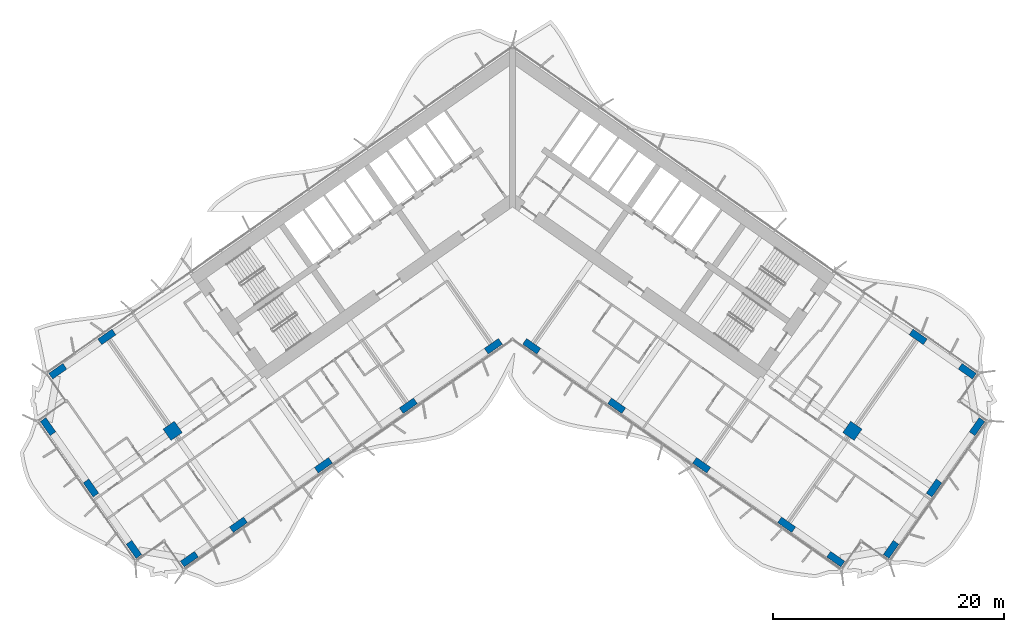
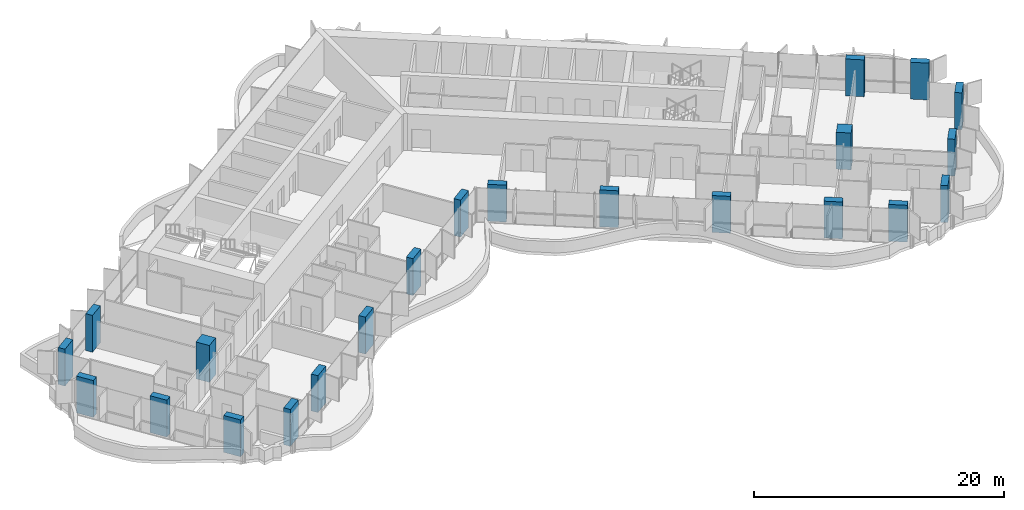
# One storey, part 1 of 23: 22 columns.
"""IFC4 building model written with IfcOpenShell, lengths in metres."""

from ifc_helpers import new_model, si_unit, direction, frame, origin, origin_2d, place, context, subcontext, project, spatial, rectangle, extrude, material, material_profile, profile_set, type_object, element, save


model = new_model("IFC4")

# Units and contexts
model_context = context("Model", 3, precision=1e-05, world=origin(), true_north=direction((0.0, 1.0)))
body_context = subcontext(model_context, "Body", "Model", "MODEL_VIEW")
ifc_project = project(units=[si_unit("LENGTHUNIT", "METRE"), si_unit("AREAUNIT", "SQUARE_METRE"), si_unit("VOLUMEUNIT", "CUBIC_METRE"), si_unit("PLANEANGLEUNIT", "RADIAN"), si_unit("MASSUNIT", "GRAM", prefix="KILO")], contexts=[model_context])

# Site, building, storey
site_placement = place(None, origin())
site = spatial("IfcSite", under=ifc_project, at=site_placement, CompositionType="ELEMENT")
building_placement = place(site_placement, origin())
building = spatial("IfcBuilding", under=site, at=building_placement, Name="Tel Ilan Convention Tower", CompositionType="ELEMENT")
storey_placement = place(building_placement, frame((0.0, 0.0, 108.5)))
storey = spatial("IfcBuildingStorey", under=building, at=storey_placement, Name="L23", CompositionType="ELEMENT", Elevation=108.5)

# Columns
ifc_material_1 = material(Name="Concrete C60/75", Category="concrete")
ifc_material_profile_1 = material_profile(ifc_material_1, rectangle(XDim=1.199951171875, YDim=1.199951171875, at=origin_2d()), Name="RC 1200x1200")
ifc_profile_set_1 = profile_set([ifc_material_profile_1], Name="Concrete C60/75")
column_type_1 = type_object("IfcColumnType", Name="Column RC 1200x1200 C60/75", PredefinedType="COLUMN", material=ifc_profile_set_1)
for number, where, z_axis, x_axis, name in (
    (1, (-29.489501953125, -20.648681640625, 0.0), (0.0, 0.0, 1.0), (-0.819152044289, -0.573576436351, 0.0), "L23 column W-M4"),
    (2, (29.489501953125, -20.648681640625, 0.0), (0.0, 0.0, 1.0), (0.819152044289, -0.573576436351, 0.0), "L23 column E-M4"),
):
    element("IfcColumn", number, at=place(storey_placement, frame(where, z_axis=z_axis, x_axis=x_axis)), inside=storey, type_object=column_type_1, Name=name, PredefinedType="COLUMN", context=body_context, shape_type="SweptSolid", body=[
        extrude(rectangle(XDim=1.199951171875, YDim=1.199951171875, at=origin_2d()), origin(), (0.0, 0.0, 1.0), 3.60009765625),
    ])
ifc_material_2 = material(Name="Concrete C60/75", Category="concrete")
ifc_material_profile_2 = material_profile(ifc_material_2, rectangle(XDim=1.5, YDim=0.60009765625, at=origin_2d()), Name="RC 600x1500")
ifc_profile_set_2 = profile_set([ifc_material_profile_2], Name="Concrete C60/75")
column_type_2 = type_object("IfcColumnType", Name="Column RC 600x1500 C60/75", PredefinedType="COLUMN", material=ifc_profile_set_2)
for number, where, z_axis, x_axis, name in (
    (3, (-1.665283203125, -13.312744140625, 0.0), (0.0, 0.0, 1.0), (-0.819152044289, -0.573576436351, 0.0), "L23 column W-F1"),
    (4, (-9.03759765625, -18.474853515625, 0.0), (0.0, 0.0, 1.0), (-0.819152044289, -0.573576436351, 0.0), "L23 column W-F2"),
    (5, (-16.409912109375, -23.63720703125, 0.0), (0.0, 0.0, 1.0), (-0.819152044289, -0.573576436351, 0.0), "L23 column W-F3"),
    (6, (-23.782470703125, -28.79931640625, 0.0), (0.0, 0.0, 1.0), (-0.819152044289, -0.573576436351, 0.0), "L23 column W-F4"),
    (7, (-28.0419921875, -31.781982421875, 0.0), (0.0, 0.0, 1.0), (-0.819152044289, -0.573576436351, 0.0), "L23 column W-FC"),
    (8, (-35.196533203125, -12.498291015625, 0.0), (0.0, 0.0, 1.0), (-0.819152044289, -0.573576436351, 0.0), "L23 column W-B4"),
    (9, (-39.4560546875, -15.480712890625, 0.0), (0.0, 0.0, 1.0), (-0.819152044289, -0.573576436351, 0.0), "L23 column W-BC"),
    (10, (-32.846923828125, -30.934814453125, 0.0), (0.0, 0.0, 1.0), (-0.573576436351, 0.819152044289, 0.0), "L23 column W-E1"),
    (11, (-36.5751953125, -25.610107421875, 0.0), (0.0, 0.0, 1.0), (-0.573576436351, 0.819152044289, 0.0), "L23 column W-E2"),
    (12, (-40.303466796875, -20.28564453125, 0.0), (0.0, 0.0, 1.0), (-0.573576436351, 0.819152044289, 0.0), "L23 column W-E3"),
    (13, (1.665283203125, -13.312744140625, 0.0), (0.0, 0.0, 1.0), (0.819152044289, -0.573576436351, 0.0), "L23 column E-F1"),
    (14, (9.03759765625, -18.474853515625, 0.0), (0.0, 0.0, 1.0), (0.819152044289, -0.573576436351, 0.0), "L23 column E-F2"),
    (15, (16.409912109375, -23.63720703125, 0.0), (0.0, 0.0, 1.0), (0.819152044289, -0.573576436351, 0.0), "L23 column E-F3"),
    (16, (23.782470703125, -28.79931640625, 0.0), (0.0, 0.0, 1.0), (0.819152044289, -0.573576436351, 0.0), "L23 column E-F4"),
    (17, (28.0419921875, -31.781982421875, 0.0), (0.0, 0.0, 1.0), (0.819152044289, -0.573576436351, 0.0), "L23 column E-FC"),
    (18, (35.196533203125, -12.498291015625, 0.0), (0.0, 0.0, 1.0), (0.819152044289, -0.573576436351, 0.0), "L23 column E-B4"),
    (19, (39.4560546875, -15.480712890625, 0.0), (0.0, 0.0, 1.0), (0.819152044289, -0.573576436351, 0.0), "L23 column E-BC"),
    (20, (32.846923828125, -30.934814453125, 0.0), (0.0, 0.0, 1.0), (0.573576436351, 0.819152044289, 0.0), "L23 column E-E1"),
    (21, (36.5751953125, -25.610107421875, 0.0), (0.0, 0.0, 1.0), (0.573576436351, 0.819152044289, 0.0), "L23 column E-E2"),
    (22, (40.303466796875, -20.28564453125, 0.0), (0.0, 0.0, 1.0), (0.573576436351, 0.819152044289, 0.0), "L23 column E-E3"),
):
    element("IfcColumn", number, at=place(storey_placement, frame(where, z_axis=z_axis, x_axis=x_axis)), inside=storey, type_object=column_type_2, Name=name, PredefinedType="COLUMN", context=body_context, shape_type="SweptSolid", body=[
        extrude(rectangle(XDim=1.5, YDim=0.60009765625, at=origin_2d()), origin(), (0.0, 0.0, 1.0), 3.60009765625),
    ])

save(model, "model.ifc")
